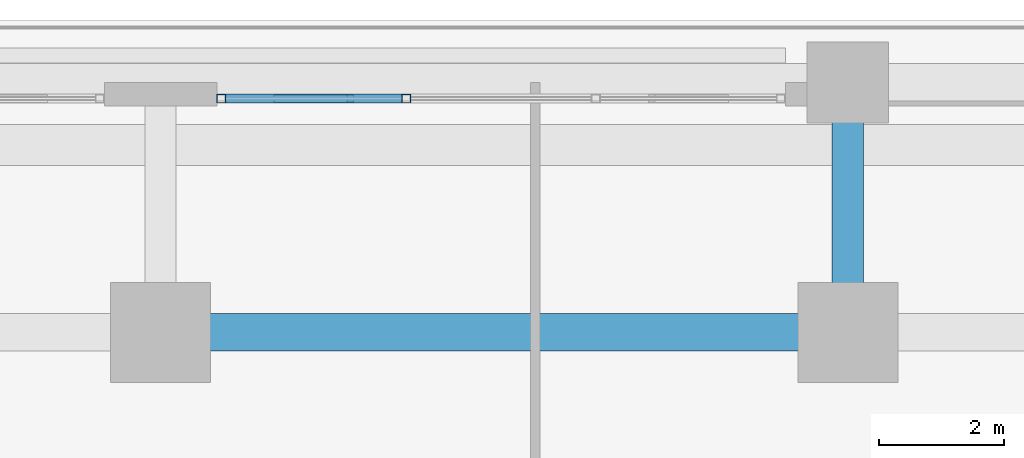
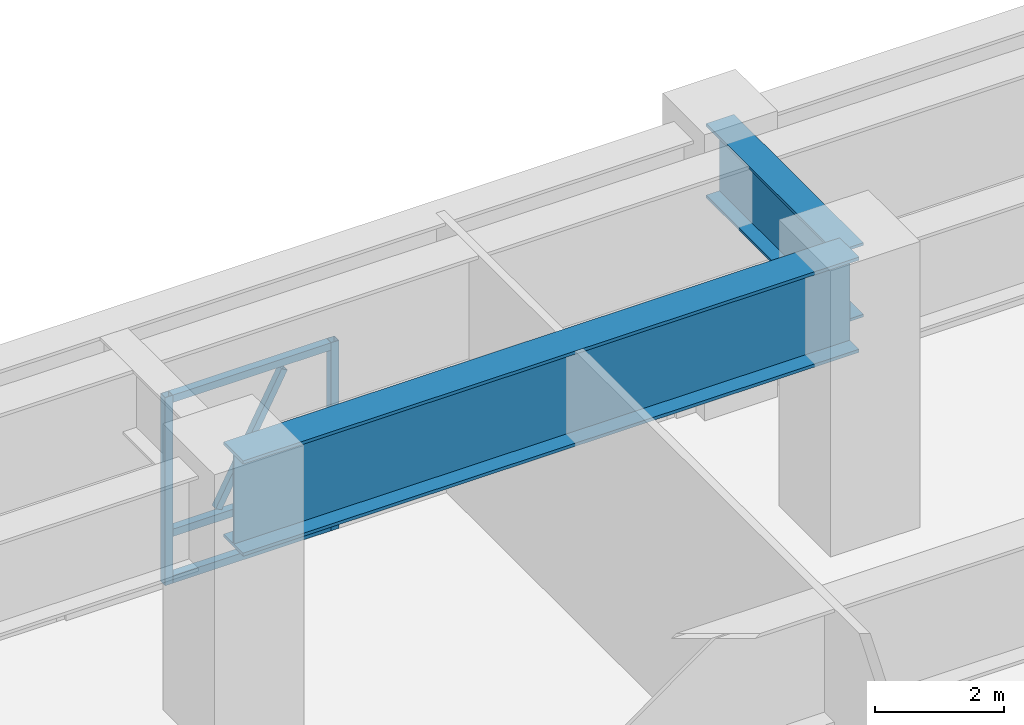
# One storey, part 12 of 28: 6 members, 2 beams, 1 element without a shape of its own.
"""IFC4 building model written with IfcOpenShell, lengths in metres."""

from ifc_helpers import new_model, si_unit, direction, frame, origin, origin_2d, place, context, subcontext, project, spatial, hollow_rectangle, i_section, extrude, source, transform, mapped, material, material_profile, profile_set, type_object, element, aggregate, save


model = new_model("IFC4")

# Units and contexts
model_context = context("Model", 3, precision=1e-05, world=origin(), true_north=direction((0.0, 1.0)))
body_context = subcontext(model_context, "Body", "Model", "MODEL_VIEW")
ifc_project = project(units=[si_unit("LENGTHUNIT", "METRE"), si_unit("AREAUNIT", "SQUARE_METRE"), si_unit("VOLUMEUNIT", "CUBIC_METRE"), si_unit("PLANEANGLEUNIT", "RADIAN"), si_unit("MASSUNIT", "GRAM", prefix="KILO")], contexts=[model_context])

# Site, building, storey
site_placement = place(None, origin())
site = spatial("IfcSite", under=ifc_project, at=site_placement, CompositionType="ELEMENT")
building_placement = place(site_placement, origin())
building = spatial("IfcBuilding", under=site, at=building_placement, Name="Khorayat Bourse Tower", CompositionType="ELEMENT")
storey_placement = place(building_placement, frame((0.0, 0.0, 12.0)))
storey = spatial("IfcBuildingStorey", under=building, at=storey_placement, Name="L02", CompositionType="ELEMENT", Elevation=12.0)

# Beams
ifc_material_1 = material(Name="Steel EN 10025-4 S460M", Category="steel")
ifc_material_profile_1 = material_profile(ifc_material_1, i_section(OverallWidth=0.60009765625, OverallDepth=1.800048828125, WebThickness=0.031982421875, FlangeThickness=0.06005859375, at=origin_2d()), Name="PG 1800x600x32x60")
ifc_profile_set_1 = profile_set([ifc_material_profile_1], Name="Steel EN 10025-4 S460M")
beam_type_1 = type_object("IfcBeamType", Name="BM-TR-1800", PredefinedType="BEAM", material=ifc_profile_set_1)
shared_shape_1 = source(origin(), body_context, "Body", "SweptSolid", [
    extrude(i_section(OverallWidth=0.60009765625, OverallDepth=1.800048828125, WebThickness=0.031982421875, FlangeThickness=0.06005859375, at=origin_2d()), origin(), (0.0, 0.0, 1.0), 11.0),
])
beam_1_placement = place(storey_placement, frame((0.0, 32.0, 4.179931640625), z_axis=(1.0, 0.0, 0.0), x_axis=(0.0, 1.0, 0.0)))
element("IfcBeam", 1, at=beam_1_placement, inside=storey, type_object=beam_type_1, Name="L02 BM-TR-1800 BM-L02-PGX-082", PredefinedType="BEAM", context=body_context, shape_type="MappedRepresentation", body=[
    mapped(shared_shape_1, transform((0.0, 0.0, 0.0), scale=1.0)),
])
ifc_material_profile_2 = material_profile(ifc_material_1, i_section(OverallWidth=0.5, OverallDepth=1.39990234375, WebThickness=0.02490234375, FlangeThickness=0.050048828125, at=origin_2d()), Name="PG 1400x500x25x50")
ifc_profile_set_2 = profile_set([ifc_material_profile_2], Name="Steel EN 10025-4 S460M")
beam_type_2 = type_object("IfcBeamType", Name="BM-TR-1400", PredefinedType="BEAM", material=ifc_profile_set_2)
shared_shape_2 = source(origin(), body_context, "Body", "SweptSolid", [
    extrude(i_section(OverallWidth=0.5, OverallDepth=1.39990234375, WebThickness=0.02490234375, FlangeThickness=0.050048828125, at=origin_2d()), origin(), (0.0, 0.0, 1.0), 4.0),
])
beam_2_placement = place(storey_placement, frame((11.0, 32.0, 4.3798828125), z_axis=(0.0, 1.0, 0.0), x_axis=(-1.0, 0.0, 0.0)))
element("IfcBeam", 2, at=beam_2_placement, inside=storey, type_object=beam_type_2, Name="L02 BM-TR-1400 BM-L02-PGY-136", PredefinedType="BEAM", context=body_context, shape_type="MappedRepresentation", body=[
    mapped(shared_shape_2, transform((0.0, 0.0, 0.0), scale=1.0)),
])

# Curtain wall, members
ifc_material_2 = material(Name="Aluminium EN AW-6063 T6", Category="aluminium")
curtain_wall_type = type_object("IfcCurtainWallType", Name="CW-SYS-01", PredefinedType="NOTDEFINED", material=ifc_material_2)
curtain_wall_placement = place(storey_placement, origin())
curtain_wall = element("IfcCurtainWall", 3, at=curtain_wall_placement, inside=storey, type_object=curtain_wall_type, Name="L02 Curtain Wall CW-L02-NE", PredefinedType="NOTDEFINED")
ifc_material_profile_3 = material_profile(ifc_material_2, hollow_rectangle(XDim=0.1201171875, YDim=0.1201171875, WallThickness=0.0048828125, at=origin_2d()), Name="ALU 120x120x5")
ifc_profile_set_3 = profile_set([ifc_material_profile_3], Name="Aluminium EN AW-6063 T6")
member_type_1 = type_object("IfcMemberType", Name="CWM-DIAG-120", PredefinedType="MULLION", material=ifc_profile_set_3)
shared_shape_3 = source(origin(), body_context, "Body", "SweptSolid", [
    extrude(hollow_rectangle(XDim=0.1201171875, YDim=0.1201171875, WallThickness=0.0048828125, at=origin_2d()), origin(), (0.0, 0.0, 1.0), 2.52001953125),
])
member_1_placement = place(storey_placement, frame((1.86474609375, 35.742919921875, 1.10009765625), z_axis=(0.465794346287, 0.0, 0.884893003118), x_axis=(0.0, 1.0, 0.0)))
member_1 = element("IfcMember", 4, at=member_1_placement, type_object=member_type_1, Name="CW-L02-NE Faceted Diagonal Mullion 3", PredefinedType="MULLION", context=body_context, shape_type="MappedRepresentation", body=[
    mapped(shared_shape_3, transform((0.0, 0.0, 0.0), scale=1.0)),
])
ifc_material_profile_4 = material_profile(ifc_material_2, hollow_rectangle(XDim=0.139892578125, YDim=0.139892578125, WallThickness=0.006103515625, at=origin_2d()), Name="ALU 140x140x6")
ifc_profile_set_4 = profile_set([ifc_material_profile_4], Name="Aluminium EN AW-6063 T6")
member_type_2 = type_object("IfcMemberType", Name="CWT-HORZ-140", PredefinedType="USERDEFINED", material=ifc_profile_set_4)
shared_shape_4 = source(origin(), body_context, "Body", "SweptSolid", [
    extrude(hollow_rectangle(XDim=0.139892578125, YDim=0.139892578125, WallThickness=0.006103515625, at=origin_2d()), origin(), (0.0, 0.0, 1.0), 2.8232421875),
])
member_2_placement = place(storey_placement, frame((3.86328125, 35.742919921875, 0.070068359375), z_axis=(-1.0, 0.0, 0.0), x_axis=(0.0, -1.0, 0.0)))
member_2 = element("IfcMember", 5, at=member_2_placement, type_object=member_type_2, Name="CW-L02-NE Horizontal Transom 3-1", ObjectType="TRANSOM", PredefinedType="USERDEFINED", context=body_context, shape_type="MappedRepresentation", body=[
    mapped(shared_shape_4, transform((0.0, 0.0, 0.0), scale=1.0)),
])
member_3_placement = place(storey_placement, frame((3.86328125, 35.742919921875, 0.949951171875), z_axis=(-1.0, 0.0, 0.0), x_axis=(0.0, -1.0, 0.0)))
member_3 = element("IfcMember", 6, at=member_3_placement, type_object=member_type_2, Name="CW-L02-NE Horizontal Transom 3-2", ObjectType="TRANSOM", PredefinedType="USERDEFINED", context=body_context, shape_type="MappedRepresentation", body=[
    mapped(shared_shape_4, transform((0.0, 0.0, 0.0), scale=1.0)),
])
member_4_placement = place(storey_placement, frame((3.86328125, 35.742919921875, 3.47998046875), z_axis=(-1.0, 0.0, 0.0), x_axis=(0.0, -1.0, 0.0)))
member_4 = element("IfcMember", 7, at=member_4_placement, type_object=member_type_2, Name="CW-L02-NE Horizontal Transom 3-3", ObjectType="TRANSOM", PredefinedType="USERDEFINED", context=body_context, shape_type="MappedRepresentation", body=[
    mapped(shared_shape_4, transform((0.0, 0.0, 0.0), scale=1.0)),
])
ifc_material_profile_5 = material_profile(ifc_material_2, hollow_rectangle(XDim=0.139892578125, YDim=0.139892578125, WallThickness=0.006103515625, at=origin_2d()), Name="ALU 140x140x6")
ifc_profile_set_5 = profile_set([ifc_material_profile_5], Name="Aluminium EN AW-6063 T6")
member_type_3 = type_object("IfcMemberType", Name="CWM-VERT-140", PredefinedType="MULLION", material=ifc_profile_set_5)
shared_shape_5 = source(origin(), body_context, "Body", "SweptSolid", [
    extrude(hollow_rectangle(XDim=0.139892578125, YDim=0.139892578125, WallThickness=0.006103515625, at=origin_2d()), origin(), (0.0, 0.0, 1.0), 3.550048828125),
])
member_5_placement = place(storey_placement, frame((3.933349609375, 35.742919921875, 0.0), z_axis=(0.0, 0.0, 1.0), x_axis=(0.0, -1.0, 0.0)))
member_5 = element("IfcMember", 8, at=member_5_placement, type_object=member_type_3, Name="CW-L02-NE Vertical Mullion 3", PredefinedType="MULLION", context=body_context, shape_type="MappedRepresentation", body=[
    mapped(shared_shape_5, transform((0.0, 0.0, 0.0), scale=1.0)),
])
member_6_placement = place(storey_placement, frame((0.969970703125, 35.742919921875, 0.0), z_axis=(0.0, 0.0, 1.0), x_axis=(0.0, -1.0, 0.0)))
member_6 = element("IfcMember", 9, at=member_6_placement, type_object=member_type_3, Name="CW-L02-NE Vertical Mullion 4", PredefinedType="MULLION", context=body_context, shape_type="MappedRepresentation", body=[
    mapped(shared_shape_5, transform((0.0, 0.0, 0.0), scale=1.0)),
])
aggregate(curtain_wall, [member_5, member_6, member_2, member_3, member_4, member_1])

save(model, "model.ifc")
